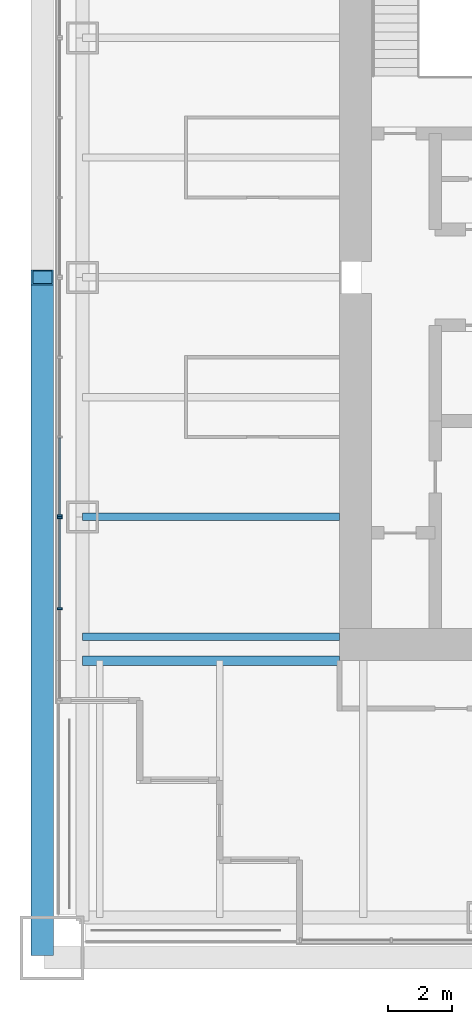
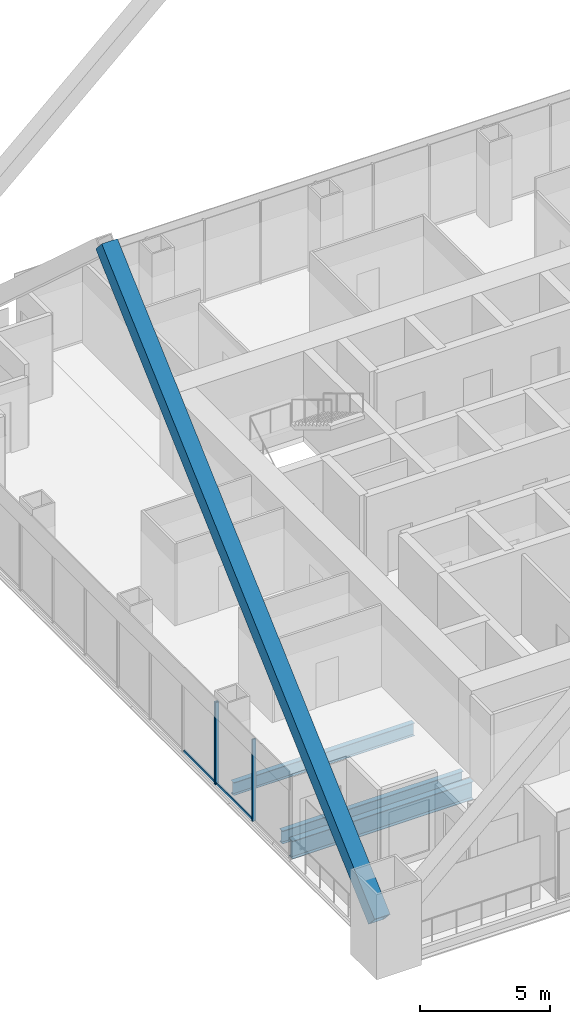
# One storey, part 3 of 18: 6 members, 3 beams, 2 elements without a shape of their own.
"""IFC4 building model written with IfcOpenShell, lengths in metres."""

import ifcopenshell
import ifcopenshell.guid

model = None  # the IFC model being written
_history = None  # IfcOwnerHistory: only IFC2X3 demands one
_inside = {}  # id of a spatial element -> (the spatial element, [elements in it])
_under = {}  # id of a project, library or spatial element -> (it, [spatial elements below it])
_declared = {}  # id of a project -> (the project, [libraries it declares])
_typed = {}  # id of a type object -> (the type object, [elements of that type])
_made_of = {}  # id of a material, layer set ... -> (it, [elements and type objects made of it])


def new_model(schema):
    """Start an empty IFC model of exactly this schema.

    Asked for "IFC4X3", IfcOpenShell would pick the latest addendum, in which some entities
    have other attributes; the version numbers below select the first issue.
    IFC2X3 requires an IfcOwnerHistory on every rooted entity: one is made here for all.
    """
    global model, _history
    if schema == "IFC4X3":
        model = ifcopenshell.file(schema_version=(4, 3, 0, 0))
    else:
        model = ifcopenshell.file(schema=schema)
    _inside.clear()
    _under.clear()
    _declared.clear()
    _typed.clear()
    _made_of.clear()
    _history = None
    if model.schema == "IFC2X3":
        org = make("IfcOrganization", Name="unknown")
        user = make(
            "IfcPersonAndOrganization",
            ThePerson=make("IfcPerson", FamilyName="unknown"),
            TheOrganization=org,
        )
        app = make(
            "IfcApplication",
            ApplicationDeveloper=org,
            Version="unknown",
            ApplicationFullName="unknown",
            ApplicationIdentifier="unknown",
        )
        _history = make(
            "IfcOwnerHistory",
            OwningUser=user,
            OwningApplication=app,
            ChangeAction="ADDED",
            CreationDate=0,
        )
    return model


def make(cls, **values):
    """One entity of the class cls with the attributes given. An attribute that is None is left unset."""
    return model.create_entity(
        cls, **{name: value for name, value in values.items() if value is not None}
    )


def rooted(cls, **values):
    """An entity with a GlobalId (a new one), such as an element, a storey or a relation."""
    return make(cls, GlobalId=ifcopenshell.guid.new(), OwnerHistory=_history, **values)


def si_unit(unit_type, name, prefix=None):
    """IfcSIUnit, for example si_unit("LENGTHUNIT", "METRE", prefix="MILLI")."""
    return make("IfcSIUnit", UnitType=unit_type, Prefix=prefix, Name=name)


def assignment(units):
    """IfcUnitAssignment: the units of a project."""
    return None if units is None else make("IfcUnitAssignment", Units=units)


def point(xyz):
    """IfcCartesianPoint."""
    return None if xyz is None else make("IfcCartesianPoint", Coordinates=xyz)


def direction(xyz):
    """IfcDirection."""
    return None if xyz is None else make("IfcDirection", DirectionRatios=xyz)


def frame(location, z_axis=None, x_axis=None):
    """IfcAxis2Placement3D, a coordinate frame: its origin and axes. An axis left out is left unset."""
    return make(
        "IfcAxis2Placement3D",
        Location=point(location),
        Axis=direction(z_axis),
        RefDirection=direction(x_axis),
    )


def frame_2d(location, x_axis=None):
    """IfcAxis2Placement2D, a coordinate frame in the plane: its origin and x axis."""
    return make(
        "IfcAxis2Placement2D", Location=point(location), RefDirection=direction(x_axis)
    )


def origin():
    """The frame at (0, 0, 0) with its axes left unset."""
    return frame((0.0, 0.0, 0.0))


def origin_2d():
    """The frame at (0, 0) in the plane with its x axis left unset."""
    return frame_2d((0.0, 0.0))


def place(relative_to, where):
    """IfcLocalPlacement: puts the frame where relative to a parent placement (None: the world)."""
    return make(
        "IfcLocalPlacement", PlacementRelTo=relative_to, RelativePlacement=where
    )


def context(
    kind, dimensions, precision=None, world=None, true_north=None, identifier=None
):
    """IfcGeometricRepresentationContext, for example the 3D "Model" context."""
    return make(
        "IfcGeometricRepresentationContext",
        ContextIdentifier=identifier,
        ContextType=kind,
        CoordinateSpaceDimension=dimensions,
        Precision=precision,
        WorldCoordinateSystem=world,
        TrueNorth=true_north,
    )


def subcontext(parent, identifier, kind, view, scale=None):
    """IfcGeometricRepresentationSubContext, for example "Body" below "Model"."""
    return make(
        "IfcGeometricRepresentationSubContext",
        ContextIdentifier=identifier,
        ContextType=kind,
        ParentContext=parent,
        TargetScale=scale,
        TargetView=view,
    )


def project(units=None, contexts=None):
    """IfcProject with its units and contexts."""
    return rooted(
        "IfcProject",
        Name="project",
        RepresentationContexts=contexts,
        UnitsInContext=assignment(units),
    )


def spatial(cls, under=None, at=None, **own):
    """A site, building, storey or space (cls), placed at a placement, below another one or the project."""
    s = rooted(cls, ObjectPlacement=at, **own)
    if under is not None:
        _under.setdefault(under.id(), (under, []))[1].append(s)
    return s


def profile(cls, at=None, kind="AREA", **sizes):
    """A parametric profile (cls). Its sizes go by their IFC names, for example OverallWidth=200.0."""
    return make(cls, ProfileType=kind, Position=at, **sizes)


def rectangle(**sizes):
    """IfcRectangleProfileDef."""
    return profile("IfcRectangleProfileDef", **sizes)


def hollow_rectangle(**sizes):
    """IfcRectangleHollowProfileDef."""
    return profile("IfcRectangleHollowProfileDef", **sizes)


def i_section(**sizes):
    """IfcIShapeProfileDef."""
    return profile("IfcIShapeProfileDef", **sizes)


def extrude(swept, where, along, depth):
    """IfcExtrudedAreaSolid: the profile swept, set in the frame where, extruded along a direction by depth."""
    return make(
        "IfcExtrudedAreaSolid",
        SweptArea=swept,
        Position=where,
        ExtrudedDirection=direction(along),
        Depth=depth,
    )


def shape(context_of_items, identifier, shape_type, items):
    """IfcShapeRepresentation: the items that make up one representation, for example the "Body"."""
    return make(
        "IfcShapeRepresentation",
        ContextOfItems=context_of_items,
        RepresentationIdentifier=identifier,
        RepresentationType=shape_type,
        Items=items,
    )


def material(Name=None, Category=None):
    """IfcMaterial."""
    return make("IfcMaterial", Name=Name, Category=Category)


def material_profile(
    of_material, cross_section, Name=None, Category=None, Priority=None
):
    """IfcMaterialProfile: a cross section and its material."""
    return make(
        "IfcMaterialProfile",
        Name=Name,
        Material=of_material,
        Profile=cross_section,
        Priority=Priority,
        Category=Category,
    )


def profile_set(profiles, Name=None, composite=None):
    """IfcMaterialProfileSet."""
    return make(
        "IfcMaterialProfileSet",
        Name=Name,
        MaterialProfiles=profiles,
        CompositeProfile=composite,
    )


def made_of(thing, what):
    """Note that an element or type object is made of a material, layer set ...; save() writes the relation."""
    if what is not None:
        _made_of.setdefault(what.id(), (what, []))[1].append(thing)
    return thing


def type_object(cls, material=None, **own):
    """A type object (cls), such as IfcWallType, which elements share."""
    return made_of(rooted(cls, **own), material)


def element(
    cls,
    number,
    at=None,
    inside=None,
    cuts=None,
    type_object=None,
    material=None,
    context=None,
    identifier="Body",
    shape_type=None,
    held_by="IfcProductDefinitionShape",
    body=None,
    shapes=None,
    **own,
):
    """One element of the class cls, such as IfcWall. Its Tag is "e" and its number.

    at: its placement. inside: the storey or other place that contains it. cuts: it is an
    opening in that element (IfcRelVoidsElement). A single representation is given by context,
    identifier, shape_type and body (its items); several are given by shapes. held_by: the class
    of the entity that holds the representations. save() writes the other relations.
    """
    e = rooted(cls, Tag="e%d" % number, ObjectPlacement=at, **own)
    if body is not None:
        shapes = [shape(context, identifier, shape_type, body)]
    if shapes is not None:
        e.Representation = make(held_by, Representations=shapes)
    if inside is not None:
        _inside.setdefault(inside.id(), (inside, []))[1].append(e)
    if cuts is not None:
        rooted(
            "IfcRelVoidsElement", RelatingBuildingElement=cuts, RelatedOpeningElement=e
        )
    if type_object is not None:
        _typed.setdefault(type_object.id(), (type_object, []))[1].append(e)
    return made_of(e, material)


def aggregate(whole, parts):
    """IfcRelAggregates: a whole, such as a stair, and the parts it consists of."""
    return rooted("IfcRelAggregates", RelatingObject=whole, RelatedObjects=parts)


def save(model, path):
    """Write the relations noted so far, then the file.

    IfcRelAggregates (storeys below a building ...), IfcRelContainedInSpatialStructure (elements
    in a storey), IfcRelDefinesByType, IfcRelAssociatesMaterial and IfcRelDeclares: one each for
    every whole, place, type object, material and project.
    """
    for whole, parts in _under.values():
        aggregate(whole, parts)
    for where, things in _inside.values():
        rooted(
            "IfcRelContainedInSpatialStructure",
            RelatedElements=things,
            RelatingStructure=where,
        )
    for kind, things in _typed.values():
        rooted("IfcRelDefinesByType", RelatedObjects=things, RelatingType=kind)
    for what, things in _made_of.values():
        rooted("IfcRelAssociatesMaterial", RelatedObjects=things, RelatingMaterial=what)
    for by, libraries in _declared.values():
        rooted("IfcRelDeclares", RelatingContext=by, RelatedDefinitions=libraries)
    model.write(path)


model = new_model("IFC4")

# Units and contexts
model_context = context("Model", 3, precision=1e-05, world=origin(), true_north=direction((0.0, 1.0)))
body_context = subcontext(model_context, "Body", "Model", "MODEL_VIEW")
ifc_project = project(units=[si_unit("LENGTHUNIT", "METRE"), si_unit("AREAUNIT", "SQUARE_METRE"), si_unit("VOLUMEUNIT", "CUBIC_METRE"), si_unit("PLANEANGLEUNIT", "RADIAN"), si_unit("MASSUNIT", "GRAM", prefix="KILO")], contexts=[model_context])

# Site, building, storey
site_placement = place(None, origin())
site = spatial("IfcSite", under=ifc_project, at=site_placement, CompositionType="ELEMENT")
building_placement = place(site_placement, origin())
building = spatial("IfcBuilding", under=site, at=building_placement, Name="Tarangal Relay Tower", CompositionType="ELEMENT")
storey_placement = place(building_placement, frame((0.0, 0.0, 295.89990234375)))
storey = spatial("IfcBuildingStorey", under=building, at=storey_placement, Name="L65", CompositionType="ELEMENT", Elevation=295.89990234375)

# Beams
ifc_material_1 = material(Name="Steel ASTM A992", Category="steel")
ifc_material_profile_1 = material_profile(ifc_material_1, i_section(OverallWidth=0.2919921875, OverallDepth=0.8408203125, WebThickness=0.0146484375, FlangeThickness=0.021728515625, at=origin_2d()), Name="W33X130")
ifc_profile_set_1 = profile_set([ifc_material_profile_1], Name="Steel ASTM A992")
beam_type_1 = type_object("IfcBeamType", Name="Corner girder W33X130", PredefinedType="BEAM", material=ifc_profile_set_1)
beam_placement = place(storey_placement, frame((-12.0, -12.0, -0.5703125), z_axis=(-1.0, 0.0, 0.0), x_axis=(0.0, -1.0, 0.0)))
element("IfcBeam", 1, at=beam_placement, inside=storey, type_object=beam_type_1, Name="Corner girder CG5 S L65", PredefinedType="BEAM", context=body_context, shape_type="SweptSolid", body=[
    extrude(i_section(OverallWidth=0.2919921875, OverallDepth=0.8408203125, WebThickness=0.0146484375, FlangeThickness=0.021728515625, at=origin_2d()), origin(), (0.0, 0.0, 1.0), 8.0400390625),
])
ifc_material_profile_2 = material_profile(ifc_material_1, i_section(OverallWidth=0.228271484375, OverallDepth=0.607177734375, WebThickness=0.01123046875, FlangeThickness=0.017333984375, at=origin_2d()), Name="W24X76")
ifc_profile_set_2 = profile_set([ifc_material_profile_2], Name="Steel ASTM A992")
beam_type_2 = type_object("IfcBeamType", Name="Floor beam W24X76", PredefinedType="BEAM", material=ifc_profile_set_2)
for number, where, z_axis, x_axis, name in (
    (2, (-12.0, -11.25, -0.453369140625), (-1.0, 0.0, 0.0), (0.0, -1.0, 0.0), "Floor beam RB5 W L65"),
    (3, (-12.0, -7.5, -0.453369140625), (-1.0, 0.0, 0.0), (0.0, -1.0, 0.0), "Floor beam RB5 W L65"),
):
    element("IfcBeam", number, at=place(storey_placement, frame(where, z_axis=z_axis, x_axis=x_axis)), inside=storey, type_object=beam_type_2, Name=name, PredefinedType="BEAM", context=body_context, shape_type="SweptSolid", body=[
        extrude(i_section(OverallWidth=0.228271484375, OverallDepth=0.607177734375, WebThickness=0.01123046875, FlangeThickness=0.017333984375, at=origin_2d()), origin(), (0.0, 0.0, 1.0), 8.0400390625),
    ])

# Member
ifc_material_2 = material(Name="Steel ASTM A572 Grade 50", Category="steel")
ifc_material_profile_3 = material_profile(ifc_material_2, hollow_rectangle(XDim=0.699951171875, YDim=0.699951171875, WallThickness=0.052001953125, at=origin_2d()), Name="BOX700X700X52")
ifc_profile_set_3 = profile_set([ifc_material_profile_3], Name="Steel ASTM A572 Grade 50")
member_type_1 = type_object("IfcMemberType", Name="Mega brace BOX700X700X52", PredefinedType="BRACE", material=ifc_profile_set_3)
member_1_placement = place(storey_placement, frame((-21.300048828125, -21.0, 2.0), z_axis=(0.0, 0.741535779124, 0.670913323969), x_axis=(-1.0, 0.0, 0.0)))
element("IfcMember", 4, at=member_1_placement, inside=storey, type_object=member_type_1, Name="Mega brace MB4 W face module 2", PredefinedType="BRACE", context=body_context, shape_type="SweptSolid", body=[
    extrude(hollow_rectangle(XDim=0.699951171875, YDim=0.699951171875, WallThickness=0.052001953125, at=origin_2d()), origin(), (0.0, 0.0, 1.0), 28.319580078125),
])

# Curtain wall, members
ifc_material_3 = material(Name="Unitised curtain wall, dark glass and black aluminium", Category="aluminium")
curtain_wall_type = type_object("IfcCurtainWallType", Name="Curtain wall CW-B", PredefinedType="USERDEFINED", material=ifc_material_3)
curtain_wall_1_placement = place(storey_placement, origin())
curtain_wall_1 = element("IfcCurtainWall", 5, at=curtain_wall_1_placement, inside=storey, type_object=curtain_wall_type, Name="Curtain wall CW-B W facade L65", ObjectType="UNITISED CURTAIN WALL", PredefinedType="USERDEFINED")
ifc_material_4 = material(Name="Black anodised aluminium mullion", Category="aluminium")
ifc_material_profile_4 = material_profile(ifc_material_4, rectangle(XDim=0.159912109375, YDim=0.06005859375, at=origin_2d()), Name="CW-BM 60X160")
ifc_profile_set_4 = profile_set([ifc_material_profile_4], Name="Black anodised aluminium mullion")
member_type_2 = type_object("IfcMemberType", Name="Mullion CW-B 60 x 160", PredefinedType="MULLION", material=ifc_profile_set_4)
member_2_placement = place(storey_placement, frame((-20.75, -10.375, 0.0), z_axis=(0.0, 0.0, 1.0), x_axis=(-1.0, 0.0, 0.0)))
member_2 = element("IfcMember", 6, at=member_2_placement, type_object=member_type_2, Name="CW-B mullion 2", PredefinedType="MULLION", context=body_context, shape_type="SweptSolid", body=[
    extrude(rectangle(XDim=0.159912109375, YDim=0.06005859375, at=origin_2d()), origin(), (0.0, 0.0, 1.0), 3.85009765625),
])
member_3_placement = place(storey_placement, frame((-20.75, -7.530029296875, 0.0), z_axis=(0.0, 0.0, 1.0), x_axis=(-1.0, 0.0, 0.0)))
member_3 = element("IfcMember", 7, at=member_3_placement, type_object=member_type_2, Name="CW-B mullion 3", PredefinedType="MULLION", context=body_context, shape_type="SweptSolid", body=[
    extrude(rectangle(XDim=0.159912109375, YDim=0.06005859375, at=origin_2d()), origin(), (0.0, 0.0, 1.0), 3.85009765625),
])

# Curtain wall, member
curtain_wall_2_placement = place(storey_placement, origin())
curtain_wall_2 = element("IfcCurtainWall", 8, at=curtain_wall_2_placement, inside=storey, type_object=curtain_wall_type, Name="Curtain wall CW-B W facade L65", ObjectType="UNITISED CURTAIN WALL", PredefinedType="USERDEFINED")
member_4_placement = place(storey_placement, frame((-20.75, -7.469970703125, 0.0), z_axis=(0.0, 0.0, 1.0), x_axis=(-1.0, 0.0, 0.0)))
member_4 = element("IfcMember", 9, at=member_4_placement, type_object=member_type_2, Name="CW-B mullion 1", PredefinedType="MULLION", context=body_context, shape_type="SweptSolid", body=[
    extrude(rectangle(XDim=0.159912109375, YDim=0.06005859375, at=origin_2d()), origin(), (0.0, 0.0, 1.0), 3.85009765625),
])

# Member
ifc_material_5 = material(Name="Black anodised aluminium transom", Category="aluminium")
ifc_material_profile_5 = material_profile(ifc_material_5, rectangle(XDim=0.06005859375, YDim=0.1298828125, at=origin_2d()), Name="CW-BT 60X130")
ifc_profile_set_5 = profile_set([ifc_material_profile_5], Name="Black anodised aluminium transom")
member_type_3 = type_object("IfcMemberType", Name="Transom CW-B 60 x 130", PredefinedType="USERDEFINED", material=ifc_profile_set_5)
member_5_placement = place(storey_placement, frame((-20.75, -10.344970703125, 0.030029296875), z_axis=(0.0, 1.0, 0.0), x_axis=(-1.0, 0.0, 0.0)))
member_5 = element("IfcMember", 10, at=member_5_placement, type_object=member_type_3, Name="CW-B transom 2.1", ObjectType="TRANSOM", PredefinedType="USERDEFINED", context=body_context, shape_type="SweptSolid", body=[
    extrude(rectangle(XDim=0.06005859375, YDim=0.1298828125, at=origin_2d()), origin(), (0.0, 0.0, 1.0), 2.784912109375),
])

aggregate(curtain_wall_1, [member_2, member_3, member_5])

member_6_placement = place(storey_placement, frame((-20.75, -7.43994140625, 0.030029296875), z_axis=(0.0, 1.0, 0.0), x_axis=(-1.0, 0.0, 0.0)))
member_6 = element("IfcMember", 11, at=member_6_placement, type_object=member_type_3, Name="CW-B transom 1.1", ObjectType="TRANSOM", PredefinedType="USERDEFINED", context=body_context, shape_type="SweptSolid", body=[
    extrude(rectangle(XDim=0.06005859375, YDim=0.1298828125, at=origin_2d()), origin(), (0.0, 0.0, 1.0), 2.409912109375),
])

aggregate(curtain_wall_2, [member_4, member_6])

save(model, "model.ifc")
